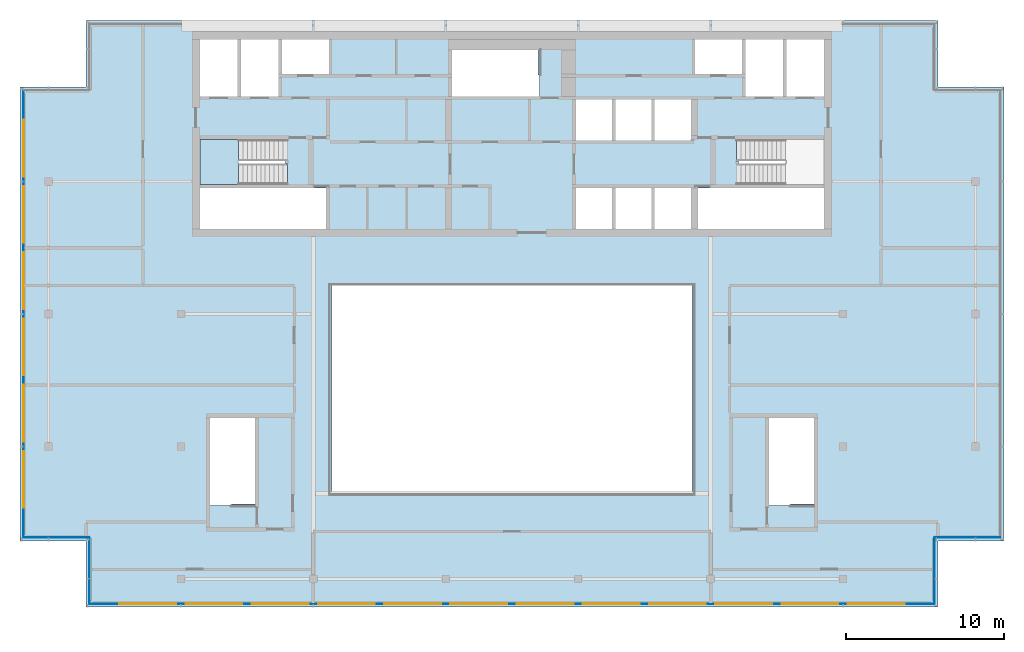
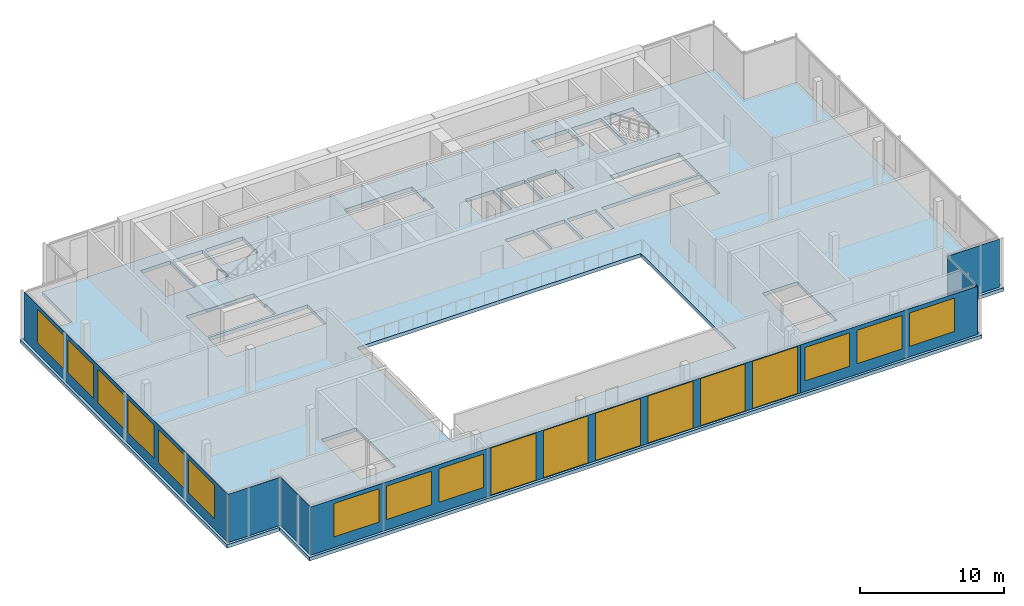
# One storey, part 9 of 14: 18 windows, 8 plates, 2 slabs, 18 openings, 7 elements without a shape of their own.
"""IFC4 building model written with IfcOpenShell, lengths in metres."""

from ifc_helpers import new_model, si_unit, direction, frame, frame_2d, origin, place, context, subcontext, project, spatial, polyline, rectangle, outline, extrude, material, layer, layer_set, type_object, element, fill, aggregate, save


model = new_model("IFC4")

# Units and contexts
model_context = context("Model", 3, precision=1e-05, world=origin(), true_north=direction((0.0, 1.0)))
body_context = subcontext(model_context, "Body", "Model", "MODEL_VIEW")
ifc_project = project(units=[si_unit("LENGTHUNIT", "METRE"), si_unit("AREAUNIT", "SQUARE_METRE"), si_unit("VOLUMEUNIT", "CUBIC_METRE"), si_unit("PLANEANGLEUNIT", "RADIAN"), si_unit("MASSUNIT", "GRAM", prefix="KILO")], contexts=[model_context])

# Site, building, storey
site_placement = place(None, origin())
site = spatial("IfcSite", under=ifc_project, at=site_placement, CompositionType="ELEMENT")
building_placement = place(site_placement, origin())
building = spatial("IfcBuilding", under=site, at=building_placement, Name="Saffron Gate Tower", CompositionType="ELEMENT")
storey_placement = place(building_placement, frame((0.0, 0.0, 310.35009765625)))
storey = spatial("IfcBuildingStorey", under=building, at=storey_placement, Name="L76", CompositionType="ELEMENT", Elevation=310.35009765625)

# Curtain wall, plates, openings, windows
ifc_material_1 = material(Name="Aluminium, bronze anodised", Category="aluminium")
curtain_wall_type = type_object("IfcCurtainWallType", Name="CWS6 curtain wall tall storeys", PredefinedType="NOTDEFINED", material=ifc_material_1)
curtain_wall_1_placement = place(storey_placement, origin())
curtain_wall_1 = element("IfcCurtainWall", 1, at=curtain_wall_1_placement, inside=storey, type_object=curtain_wall_type, Name="CWS6 run 1", PredefinedType="NOTDEFINED")
ifc_material_2 = material(Name="Clear low-iron laminated glass", Category="glass")
ifc_layer_1 = layer(ifc_material_2, 0.028076171875)
ifc_layer_set_1 = layer_set([ifc_layer_1], Name="CWS6 clear glass")
plate_type_1 = type_object("IfcPlateType", Name="CWS6 clear glass", PredefinedType="CURTAIN_PANEL", material=ifc_layer_set_1)
plate_1_placement = place(storey_placement, frame((75.0400390625, 38.614013671875, 0.0), z_axis=(0.0, 0.0, 1.0), x_axis=(1.0, 0.0, 0.0)))
plate_1 = element("IfcPlate", 2, at=plate_1_placement, type_object=plate_type_1, Name="CWS6 clear glass panel", PredefinedType="CURTAIN_PANEL", context=body_context, shape_type="SweptSolid", body=[
    extrude(rectangle(XDim=25.119873046875, YDim=0.028076171875, at=frame_2d((12.56005859375, 0.0))), origin(), (0.0, 0.0, 1.0), 4.079833984375),
])
opening_1_placement = place(plate_1_placement, frame((0.260009765625, 0.0, 0.050048828125)))
opening_1 = element("IfcOpeningElement", 3, at=opening_1_placement, cuts=plate_1, Name="Opening WA", PredefinedType="OPENING", context=body_context, shape_type="SweptSolid", body=[
    extrude(rectangle(XDim=3.60009765625, YDim=3.97998046875, at=frame_2d((1.800048828125, 1.989990234375))), frame((0.0, 0.02392578125, 0.0), z_axis=(0.0, -1.0, 0.0), x_axis=(1.0, 0.0, 0.0)), (0.0, 0.0, 1.0), 0.048095703125),
])
opening_2_placement = place(plate_1_placement, frame((4.4599609375, 0.0, 0.050048828125)))
opening_2 = element("IfcOpeningElement", 4, at=opening_2_placement, cuts=plate_1, Name="Opening WA", PredefinedType="OPENING", context=body_context, shape_type="SweptSolid", body=[
    extrude(rectangle(XDim=3.60009765625, YDim=3.97998046875, at=frame_2d((1.800048828125, 1.989990234375))), frame((0.0, 0.02392578125, 0.0), z_axis=(0.0, -1.0, 0.0), x_axis=(1.0, 0.0, 0.0)), (0.0, 0.0, 1.0), 0.048095703125),
])
opening_3_placement = place(plate_1_placement, frame((8.659912109375, 0.0, 0.050048828125)))
opening_3 = element("IfcOpeningElement", 5, at=opening_3_placement, cuts=plate_1, Name="Opening WA", PredefinedType="OPENING", context=body_context, shape_type="SweptSolid", body=[
    extrude(rectangle(XDim=3.60009765625, YDim=3.97998046875, at=frame_2d((1.800048828125, 1.989990234375))), frame((0.0, 0.02392578125, 0.0), z_axis=(0.0, -1.0, 0.0), x_axis=(1.0, 0.0, 0.0)), (0.0, 0.0, 1.0), 0.048095703125),
])
opening_4_placement = place(plate_1_placement, frame((12.860107421875, 0.0, 0.050048828125)))
opening_4 = element("IfcOpeningElement", 6, at=opening_4_placement, cuts=plate_1, Name="Opening WA", PredefinedType="OPENING", context=body_context, shape_type="SweptSolid", body=[
    extrude(rectangle(XDim=3.60009765625, YDim=3.97998046875, at=frame_2d((1.800048828125, 1.989990234375))), frame((0.0, 0.02392578125, 0.0), z_axis=(0.0, -1.0, 0.0), x_axis=(1.0, 0.0, 0.0)), (0.0, 0.0, 1.0), 0.048095703125),
])
opening_5_placement = place(plate_1_placement, frame((17.06005859375, 0.0, 0.050048828125)))
opening_5 = element("IfcOpeningElement", 7, at=opening_5_placement, cuts=plate_1, Name="Opening WA", PredefinedType="OPENING", context=body_context, shape_type="SweptSolid", body=[
    extrude(rectangle(XDim=3.60009765625, YDim=3.97998046875, at=frame_2d((1.800048828125, 1.989990234375))), frame((0.0, 0.02392578125, 0.0), z_axis=(0.0, -1.0, 0.0), x_axis=(1.0, 0.0, 0.0)), (0.0, 0.0, 1.0), 0.048095703125),
])
opening_6_placement = place(plate_1_placement, frame((21.260009765625, 0.0, 0.050048828125)))
opening_6 = element("IfcOpeningElement", 8, at=opening_6_placement, cuts=plate_1, Name="Opening WA", PredefinedType="OPENING", context=body_context, shape_type="SweptSolid", body=[
    extrude(rectangle(XDim=3.60009765625, YDim=3.97998046875, at=frame_2d((1.800048828125, 1.989990234375))), frame((0.0, 0.02392578125, 0.0), z_axis=(0.0, -1.0, 0.0), x_axis=(1.0, 0.0, 0.0)), (0.0, 0.0, 1.0), 0.048095703125),
])
ifc_material_3 = material(Name="Clear low-iron laminated glass in bronze frame", Category="glass")
ifc_layer_2 = layer(ifc_material_3, 0.06005859375)
ifc_layer_set_2 = layer_set([ifc_layer_2], Name="WA operable atrium unit 3600x3980")
window_type_1 = type_object("IfcWindowType", Name="WA operable atrium unit 3600x3980", PartitioningType="DOUBLE_PANEL_HORIZONTAL", PredefinedType="WINDOW", material=ifc_layer_set_2)
window_1_placement = place(opening_1_placement, origin())
window_1 = element("IfcWindow", 9, at=window_1_placement, type_object=window_type_1, Name="WA operable atrium unit", OverallHeight=3.97998046875, OverallWidth=3.60009765625, PartitioningType="SINGLE_PANEL", PredefinedType="WINDOW", context=body_context, shape_type="SweptSolid", body=[
    extrude(rectangle(XDim=3.60009765625, YDim=3.97998046875, at=frame_2d((1.800048828125, 1.989990234375))), frame((0.0, 0.013671875, 0.0), z_axis=(0.0, -1.0, 0.0), x_axis=(1.0, 0.0, 0.0)), (0.0, 0.0, 1.0), 0.027587890625),
])
fill(opening_1, window_1)
window_2_placement = place(opening_2_placement, origin())
window_2 = element("IfcWindow", 10, at=window_2_placement, type_object=window_type_1, Name="WA operable atrium unit", OverallHeight=3.97998046875, OverallWidth=3.60009765625, PartitioningType="SINGLE_PANEL", PredefinedType="WINDOW", context=body_context, shape_type="SweptSolid", body=[
    extrude(rectangle(XDim=3.60009765625, YDim=3.97998046875, at=frame_2d((1.800048828125, 1.989990234375))), frame((0.0, 0.013671875, 0.0), z_axis=(0.0, -1.0, 0.0), x_axis=(1.0, 0.0, 0.0)), (0.0, 0.0, 1.0), 0.027587890625),
])
fill(opening_2, window_2)
window_3_placement = place(opening_3_placement, origin())
window_3 = element("IfcWindow", 11, at=window_3_placement, type_object=window_type_1, Name="WA operable atrium unit", OverallHeight=3.97998046875, OverallWidth=3.60009765625, PartitioningType="SINGLE_PANEL", PredefinedType="WINDOW", context=body_context, shape_type="SweptSolid", body=[
    extrude(rectangle(XDim=3.60009765625, YDim=3.97998046875, at=frame_2d((1.800048828125, 1.989990234375))), frame((0.0, 0.013671875, 0.0), z_axis=(0.0, -1.0, 0.0), x_axis=(1.0, 0.0, 0.0)), (0.0, 0.0, 1.0), 0.027587890625),
])
fill(opening_3, window_3)
window_4_placement = place(opening_4_placement, origin())
window_4 = element("IfcWindow", 12, at=window_4_placement, type_object=window_type_1, Name="WA operable atrium unit", OverallHeight=3.97998046875, OverallWidth=3.60009765625, PartitioningType="SINGLE_PANEL", PredefinedType="WINDOW", context=body_context, shape_type="SweptSolid", body=[
    extrude(rectangle(XDim=3.60009765625, YDim=3.97998046875, at=frame_2d((1.800048828125, 1.989990234375))), frame((0.0, 0.013671875, 0.0), z_axis=(0.0, -1.0, 0.0), x_axis=(1.0, 0.0, 0.0)), (0.0, 0.0, 1.0), 0.027587890625),
])
fill(opening_4, window_4)
window_5_placement = place(opening_5_placement, origin())
window_5 = element("IfcWindow", 13, at=window_5_placement, type_object=window_type_1, Name="WA operable atrium unit", OverallHeight=3.97998046875, OverallWidth=3.60009765625, PartitioningType="SINGLE_PANEL", PredefinedType="WINDOW", context=body_context, shape_type="SweptSolid", body=[
    extrude(rectangle(XDim=3.60009765625, YDim=3.97998046875, at=frame_2d((1.800048828125, 1.989990234375))), frame((0.0, 0.013671875, 0.0), z_axis=(0.0, -1.0, 0.0), x_axis=(1.0, 0.0, 0.0)), (0.0, 0.0, 1.0), 0.027587890625),
])
fill(opening_5, window_5)
window_6_placement = place(opening_6_placement, origin())
window_6 = element("IfcWindow", 14, at=window_6_placement, type_object=window_type_1, Name="WA operable atrium unit", OverallHeight=3.97998046875, OverallWidth=3.60009765625, PartitioningType="SINGLE_PANEL", PredefinedType="WINDOW", context=body_context, shape_type="SweptSolid", body=[
    extrude(rectangle(XDim=3.60009765625, YDim=3.97998046875, at=frame_2d((1.800048828125, 1.989990234375))), frame((0.0, 0.013671875, 0.0), z_axis=(0.0, -1.0, 0.0), x_axis=(1.0, 0.0, 0.0)), (0.0, 0.0, 1.0), 0.027587890625),
])
fill(opening_6, window_6)
ifc_material_4 = material(Name="Fritted bronze-tinted laminated glass", Category="glass")
ifc_layer_3 = layer(ifc_material_4, 0.028076171875)
ifc_layer_set_3 = layer_set([ifc_layer_3], Name="CWS6 fixed glass")
plate_type_2 = type_object("IfcPlateType", Name="CWS6 fixed glass", PredefinedType="CURTAIN_PANEL", material=ifc_layer_set_3)
plate_2_placement = place(storey_placement, frame((60.827880859375, 38.614013671875, 0.0), z_axis=(0.0, 0.0, 1.0), x_axis=(1.0, 0.0, 0.0)))
plate_2 = element("IfcPlate", 15, at=plate_2_placement, type_object=plate_type_2, Name="CWS6 glass panel", PredefinedType="CURTAIN_PANEL", context=body_context, shape_type="SweptSolid", body=[
    extrude(rectangle(XDim=14.212158203125, YDim=0.028076171875, at=frame_2d((7.10595703125, 0.0))), origin(), (0.0, 0.0, 1.0), 4.079833984375),
])
opening_7_placement = place(plate_2_placement, frame((1.8720703125, 0.0, 0.89990234375)))
opening_7 = element("IfcOpeningElement", 16, at=opening_7_placement, cuts=plate_2, Name="Opening W3", PredefinedType="OPENING", context=body_context, shape_type="SweptSolid", body=[
    extrude(rectangle(XDim=3.60009765625, YDim=2.830078125, at=frame_2d((1.800048828125, 1.4150390625))), frame((0.0, 0.02392578125, 0.0), z_axis=(0.0, -1.0, 0.0), x_axis=(1.0, 0.0, 0.0)), (0.0, 0.0, 1.0), 0.048095703125),
])
opening_8_placement = place(plate_2_placement, frame((6.072021484375, 0.0, 0.89990234375)))
opening_8 = element("IfcOpeningElement", 17, at=opening_8_placement, cuts=plate_2, Name="Opening W3", PredefinedType="OPENING", context=body_context, shape_type="SweptSolid", body=[
    extrude(rectangle(XDim=3.60009765625, YDim=2.830078125, at=frame_2d((1.800048828125, 1.4150390625))), frame((0.0, 0.02392578125, 0.0), z_axis=(0.0, -1.0, 0.0), x_axis=(1.0, 0.0, 0.0)), (0.0, 0.0, 1.0), 0.048095703125),
])
opening_9_placement = place(plate_2_placement, frame((10.27197265625, 0.0, 0.89990234375)))
opening_9 = element("IfcOpeningElement", 18, at=opening_9_placement, cuts=plate_2, Name="Opening W3", PredefinedType="OPENING", context=body_context, shape_type="SweptSolid", body=[
    extrude(rectangle(XDim=3.60009765625, YDim=2.830078125, at=frame_2d((1.800048828125, 1.4150390625))), frame((0.0, 0.02392578125, 0.0), z_axis=(0.0, -1.0, 0.0), x_axis=(1.0, 0.0, 0.0)), (0.0, 0.0, 1.0), 0.048095703125),
])
ifc_material_5 = material(Name="Fritted bronze-tinted laminated glass in bronze frame", Category="glass")
ifc_layer_4 = layer(ifc_material_5, 0.06005859375)
ifc_layer_set_4 = layer_set([ifc_layer_4], Name="W3 operable panel 3600x2830")
window_type_2 = type_object("IfcWindowType", Name="W3 operable panel 3600x2830", PartitioningType="DOUBLE_PANEL_HORIZONTAL", PredefinedType="WINDOW", material=ifc_layer_set_4)
window_7_placement = place(opening_7_placement, origin())
window_7 = element("IfcWindow", 19, at=window_7_placement, type_object=window_type_2, Name="W3 operable panel", OverallHeight=2.830078125, OverallWidth=3.60009765625, PartitioningType="SINGLE_PANEL", PredefinedType="WINDOW", context=body_context, shape_type="SweptSolid", body=[
    extrude(rectangle(XDim=3.60009765625, YDim=2.830078125, at=frame_2d((1.800048828125, 1.4150390625))), frame((0.0, 0.013671875, 0.0), z_axis=(0.0, -1.0, 0.0), x_axis=(1.0, 0.0, 0.0)), (0.0, 0.0, 1.0), 0.027587890625),
])
fill(opening_7, window_7)
window_8_placement = place(opening_8_placement, origin())
window_8 = element("IfcWindow", 20, at=window_8_placement, type_object=window_type_2, Name="W3 operable panel", OverallHeight=2.830078125, OverallWidth=3.60009765625, PartitioningType="SINGLE_PANEL", PredefinedType="WINDOW", context=body_context, shape_type="SweptSolid", body=[
    extrude(rectangle(XDim=3.60009765625, YDim=2.830078125, at=frame_2d((1.800048828125, 1.4150390625))), frame((0.0, 0.013671875, 0.0), z_axis=(0.0, -1.0, 0.0), x_axis=(1.0, 0.0, 0.0)), (0.0, 0.0, 1.0), 0.027587890625),
])
fill(opening_8, window_8)
window_9_placement = place(opening_9_placement, origin())
window_9 = element("IfcWindow", 21, at=window_9_placement, type_object=window_type_2, Name="W3 operable panel", OverallHeight=2.830078125, OverallWidth=3.60009765625, PartitioningType="SINGLE_PANEL", PredefinedType="WINDOW", context=body_context, shape_type="SweptSolid", body=[
    extrude(rectangle(XDim=3.60009765625, YDim=2.830078125, at=frame_2d((1.800048828125, 1.4150390625))), frame((0.0, 0.013671875, 0.0), z_axis=(0.0, -1.0, 0.0), x_axis=(1.0, 0.0, 0.0)), (0.0, 0.0, 1.0), 0.027587890625),
])
fill(opening_9, window_9)
plate_3_placement = place(storey_placement, frame((100.159912109375, 38.614013671875, 0.0), z_axis=(0.0, 0.0, 1.0), x_axis=(1.0, 0.0, 0.0)))
plate_3 = element("IfcPlate", 22, at=plate_3_placement, type_object=plate_type_2, Name="CWS6 glass panel", PredefinedType="CURTAIN_PANEL", context=body_context, shape_type="SweptSolid", body=[
    extrude(rectangle(XDim=14.212158203125, YDim=0.028076171875, at=frame_2d((7.10595703125, 0.0))), origin(), (0.0, 0.0, 1.0), 4.079833984375),
])
opening_10_placement = place(plate_3_placement, frame((0.340087890625, 0.0, 0.89990234375)))
opening_10 = element("IfcOpeningElement", 23, at=opening_10_placement, cuts=plate_3, Name="Opening W3", PredefinedType="OPENING", context=body_context, shape_type="SweptSolid", body=[
    extrude(rectangle(XDim=3.60009765625, YDim=2.830078125, at=frame_2d((1.800048828125, 1.4150390625))), frame((0.0, 0.02392578125, 0.0), z_axis=(0.0, -1.0, 0.0), x_axis=(1.0, 0.0, 0.0)), (0.0, 0.0, 1.0), 0.048095703125),
])
opening_11_placement = place(plate_3_placement, frame((4.5400390625, 0.0, 0.89990234375)))
opening_11 = element("IfcOpeningElement", 24, at=opening_11_placement, cuts=plate_3, Name="Opening W3", PredefinedType="OPENING", context=body_context, shape_type="SweptSolid", body=[
    extrude(rectangle(XDim=3.60009765625, YDim=2.830078125, at=frame_2d((1.800048828125, 1.4150390625))), frame((0.0, 0.02392578125, 0.0), z_axis=(0.0, -1.0, 0.0), x_axis=(1.0, 0.0, 0.0)), (0.0, 0.0, 1.0), 0.048095703125),
])
opening_12_placement = place(plate_3_placement, frame((8.739990234375, 0.0, 0.89990234375)))
opening_12 = element("IfcOpeningElement", 25, at=opening_12_placement, cuts=plate_3, Name="Opening W3", PredefinedType="OPENING", context=body_context, shape_type="SweptSolid", body=[
    extrude(rectangle(XDim=3.60009765625, YDim=2.830078125, at=frame_2d((1.800048828125, 1.4150390625))), frame((0.0, 0.02392578125, 0.0), z_axis=(0.0, -1.0, 0.0), x_axis=(1.0, 0.0, 0.0)), (0.0, 0.0, 1.0), 0.048095703125),
])
window_10_placement = place(opening_10_placement, origin())
window_10 = element("IfcWindow", 26, at=window_10_placement, type_object=window_type_2, Name="W3 operable panel", OverallHeight=2.830078125, OverallWidth=3.60009765625, PartitioningType="SINGLE_PANEL", PredefinedType="WINDOW", context=body_context, shape_type="SweptSolid", body=[
    extrude(rectangle(XDim=3.60009765625, YDim=2.830078125, at=frame_2d((1.800048828125, 1.4150390625))), frame((0.0, 0.013671875, 0.0), z_axis=(0.0, -1.0, 0.0), x_axis=(1.0, 0.0, 0.0)), (0.0, 0.0, 1.0), 0.027587890625),
])
fill(opening_10, window_10)
window_11_placement = place(opening_11_placement, origin())
window_11 = element("IfcWindow", 27, at=window_11_placement, type_object=window_type_2, Name="W3 operable panel", OverallHeight=2.830078125, OverallWidth=3.60009765625, PartitioningType="SINGLE_PANEL", PredefinedType="WINDOW", context=body_context, shape_type="SweptSolid", body=[
    extrude(rectangle(XDim=3.60009765625, YDim=2.830078125, at=frame_2d((1.800048828125, 1.4150390625))), frame((0.0, 0.013671875, 0.0), z_axis=(0.0, -1.0, 0.0), x_axis=(1.0, 0.0, 0.0)), (0.0, 0.0, 1.0), 0.027587890625),
])
fill(opening_11, window_11)
window_12_placement = place(opening_12_placement, origin())
window_12 = element("IfcWindow", 28, at=window_12_placement, type_object=window_type_2, Name="W3 operable panel", OverallHeight=2.830078125, OverallWidth=3.60009765625, PartitioningType="SINGLE_PANEL", PredefinedType="WINDOW", context=body_context, shape_type="SweptSolid", body=[
    extrude(rectangle(XDim=3.60009765625, YDim=2.830078125, at=frame_2d((1.800048828125, 1.4150390625))), frame((0.0, 0.013671875, 0.0), z_axis=(0.0, -1.0, 0.0), x_axis=(1.0, 0.0, 0.0)), (0.0, 0.0, 1.0), 0.027587890625),
])
fill(opening_12, window_12)
aggregate(curtain_wall_1, [plate_2, plate_3, plate_1, window_7, window_8, window_9, window_10, window_11, window_12, window_1, window_2, window_3, window_4, window_5, window_6])

# Curtain wall, plate
curtain_wall_2_placement = place(storey_placement, origin())
curtain_wall_2 = element("IfcCurtainWall", 29, at=curtain_wall_2_placement, inside=storey, type_object=curtain_wall_type, Name="CWS6 run 2", PredefinedType="NOTDEFINED")
plate_4_placement = place(storey_placement, frame((114.385986328125, 38.6279296875, 0.0), z_axis=(0.0, 0.0, 1.0), x_axis=(0.0, 1.0, 0.0)))
plate_4 = element("IfcPlate", 30, at=plate_4_placement, type_object=plate_type_2, Name="CWS6 glass panel", PredefinedType="CURTAIN_PANEL", context=body_context, shape_type="SweptSolid", body=[
    extrude(rectangle(XDim=4.172119140625, YDim=0.028076171875, at=frame_2d((2.0859375, 0.0))), origin(), (0.0, 0.0, 1.0), 4.079833984375),
])
aggregate(curtain_wall_2, [plate_4])

curtain_wall_3_placement = place(storey_placement, origin())
curtain_wall_3 = element("IfcCurtainWall", 31, at=curtain_wall_3_placement, inside=storey, type_object=curtain_wall_type, Name="CWS6 run 3", PredefinedType="NOTDEFINED")
plate_5_placement = place(storey_placement, frame((114.39990234375, 42.81396484375, 0.0), z_axis=(0.0, 0.0, 1.0), x_axis=(1.0, 0.0, 0.0)))
plate_5 = element("IfcPlate", 32, at=plate_5_placement, type_object=plate_type_2, Name="CWS6 glass panel", PredefinedType="CURTAIN_PANEL", context=body_context, shape_type="SweptSolid", body=[
    extrude(rectangle(XDim=4.172119140625, YDim=0.028076171875, at=frame_2d((2.0859375, 0.0))), origin(), (0.0, 0.0, 1.0), 4.079833984375),
])
aggregate(curtain_wall_3, [plate_5])

# Curtain wall, plate, openings, windows
curtain_wall_4_placement = place(storey_placement, origin())
curtain_wall_4 = element("IfcCurtainWall", 33, at=curtain_wall_4_placement, inside=storey, type_object=curtain_wall_type, Name="CWS6 run 10", PredefinedType="NOTDEFINED")
plate_6_placement = place(storey_placement, frame((56.614013671875, 71.172119140625, 0.0), z_axis=(0.0, 0.0, 1.0), x_axis=(0.0, -1.0, 0.0)))
plate_6 = element("IfcPlate", 34, at=plate_6_placement, type_object=plate_type_2, Name="CWS6 glass panel", PredefinedType="CURTAIN_PANEL", context=body_context, shape_type="SweptSolid", body=[
    extrude(rectangle(XDim=28.34423828125, YDim=0.028076171875, at=frame_2d((14.172119140625, 0.0))), origin(), (0.0, 0.0, 1.0), 4.079833984375),
])
opening_13_placement = place(plate_6_placement, frame((1.8720703125, 0.0, 0.89990234375)))
opening_13 = element("IfcOpeningElement", 35, at=opening_13_placement, cuts=plate_6, Name="Opening W3", PredefinedType="OPENING", context=body_context, shape_type="SweptSolid", body=[
    extrude(rectangle(XDim=3.60009765625, YDim=2.830078125, at=frame_2d((1.800048828125, 1.4150390625))), frame((0.0, 0.02392578125, 0.0), z_axis=(0.0, -1.0, 0.0), x_axis=(1.0, 0.0, 0.0)), (0.0, 0.0, 1.0), 0.048095703125),
])
opening_14_placement = place(plate_6_placement, frame((6.072021484375, 0.0, 0.89990234375)))
opening_14 = element("IfcOpeningElement", 36, at=opening_14_placement, cuts=plate_6, Name="Opening W3", PredefinedType="OPENING", context=body_context, shape_type="SweptSolid", body=[
    extrude(rectangle(XDim=3.60009765625, YDim=2.830078125, at=frame_2d((1.800048828125, 1.4150390625))), frame((0.0, 0.02392578125, 0.0), z_axis=(0.0, -1.0, 0.0), x_axis=(1.0, 0.0, 0.0)), (0.0, 0.0, 1.0), 0.048095703125),
])
opening_15_placement = place(plate_6_placement, frame((10.27197265625, 0.0, 0.89990234375)))
opening_15 = element("IfcOpeningElement", 37, at=opening_15_placement, cuts=plate_6, Name="Opening W3", PredefinedType="OPENING", context=body_context, shape_type="SweptSolid", body=[
    extrude(rectangle(XDim=3.60009765625, YDim=2.830078125, at=frame_2d((1.800048828125, 1.4150390625))), frame((0.0, 0.02392578125, 0.0), z_axis=(0.0, -1.0, 0.0), x_axis=(1.0, 0.0, 0.0)), (0.0, 0.0, 1.0), 0.048095703125),
])
opening_16_placement = place(plate_6_placement, frame((14.471923828125, 0.0, 0.89990234375)))
opening_16 = element("IfcOpeningElement", 38, at=opening_16_placement, cuts=plate_6, Name="Opening W3", PredefinedType="OPENING", context=body_context, shape_type="SweptSolid", body=[
    extrude(rectangle(XDim=3.60009765625, YDim=2.830078125, at=frame_2d((1.800048828125, 1.4150390625))), frame((0.0, 0.02392578125, 0.0), z_axis=(0.0, -1.0, 0.0), x_axis=(1.0, 0.0, 0.0)), (0.0, 0.0, 1.0), 0.048095703125),
])
opening_17_placement = place(plate_6_placement, frame((18.672119140625, 0.0, 0.89990234375)))
opening_17 = element("IfcOpeningElement", 39, at=opening_17_placement, cuts=plate_6, Name="Opening W3", PredefinedType="OPENING", context=body_context, shape_type="SweptSolid", body=[
    extrude(rectangle(XDim=3.60009765625, YDim=2.830078125, at=frame_2d((1.800048828125, 1.4150390625))), frame((0.0, 0.02392578125, 0.0), z_axis=(0.0, -1.0, 0.0), x_axis=(1.0, 0.0, 0.0)), (0.0, 0.0, 1.0), 0.048095703125),
])
opening_18_placement = place(plate_6_placement, frame((22.8720703125, 0.0, 0.89990234375)))
opening_18 = element("IfcOpeningElement", 40, at=opening_18_placement, cuts=plate_6, Name="Opening W3", PredefinedType="OPENING", context=body_context, shape_type="SweptSolid", body=[
    extrude(rectangle(XDim=3.60009765625, YDim=2.830078125, at=frame_2d((1.800048828125, 1.4150390625))), frame((0.0, 0.02392578125, 0.0), z_axis=(0.0, -1.0, 0.0), x_axis=(1.0, 0.0, 0.0)), (0.0, 0.0, 1.0), 0.048095703125),
])
window_13_placement = place(opening_13_placement, origin())
window_13 = element("IfcWindow", 41, at=window_13_placement, type_object=window_type_2, Name="W3 operable panel", OverallHeight=2.830078125, OverallWidth=3.60009765625, PartitioningType="SINGLE_PANEL", PredefinedType="WINDOW", context=body_context, shape_type="SweptSolid", body=[
    extrude(rectangle(XDim=3.60009765625, YDim=2.830078125, at=frame_2d((1.800048828125, 1.4150390625))), frame((0.0, 0.013671875, 0.0), z_axis=(0.0, -1.0, 0.0), x_axis=(1.0, 0.0, 0.0)), (0.0, 0.0, 1.0), 0.027587890625),
])
fill(opening_13, window_13)
window_14_placement = place(opening_14_placement, origin())
window_14 = element("IfcWindow", 42, at=window_14_placement, type_object=window_type_2, Name="W3 operable panel", OverallHeight=2.830078125, OverallWidth=3.60009765625, PartitioningType="SINGLE_PANEL", PredefinedType="WINDOW", context=body_context, shape_type="SweptSolid", body=[
    extrude(rectangle(XDim=3.60009765625, YDim=2.830078125, at=frame_2d((1.800048828125, 1.4150390625))), frame((0.0, 0.013671875, 0.0), z_axis=(0.0, -1.0, 0.0), x_axis=(1.0, 0.0, 0.0)), (0.0, 0.0, 1.0), 0.027587890625),
])
fill(opening_14, window_14)
window_15_placement = place(opening_15_placement, origin())
window_15 = element("IfcWindow", 43, at=window_15_placement, type_object=window_type_2, Name="W3 operable panel", OverallHeight=2.830078125, OverallWidth=3.60009765625, PartitioningType="SINGLE_PANEL", PredefinedType="WINDOW", context=body_context, shape_type="SweptSolid", body=[
    extrude(rectangle(XDim=3.60009765625, YDim=2.830078125, at=frame_2d((1.800048828125, 1.4150390625))), frame((0.0, 0.013671875, 0.0), z_axis=(0.0, -1.0, 0.0), x_axis=(1.0, 0.0, 0.0)), (0.0, 0.0, 1.0), 0.027587890625),
])
fill(opening_15, window_15)
window_16_placement = place(opening_16_placement, origin())
window_16 = element("IfcWindow", 44, at=window_16_placement, type_object=window_type_2, Name="W3 operable panel", OverallHeight=2.830078125, OverallWidth=3.60009765625, PartitioningType="SINGLE_PANEL", PredefinedType="WINDOW", context=body_context, shape_type="SweptSolid", body=[
    extrude(rectangle(XDim=3.60009765625, YDim=2.830078125, at=frame_2d((1.800048828125, 1.4150390625))), frame((0.0, 0.013671875, 0.0), z_axis=(0.0, -1.0, 0.0), x_axis=(1.0, 0.0, 0.0)), (0.0, 0.0, 1.0), 0.027587890625),
])
fill(opening_16, window_16)
window_17_placement = place(opening_17_placement, origin())
window_17 = element("IfcWindow", 45, at=window_17_placement, type_object=window_type_2, Name="W3 operable panel", OverallHeight=2.830078125, OverallWidth=3.60009765625, PartitioningType="SINGLE_PANEL", PredefinedType="WINDOW", context=body_context, shape_type="SweptSolid", body=[
    extrude(rectangle(XDim=3.60009765625, YDim=2.830078125, at=frame_2d((1.800048828125, 1.4150390625))), frame((0.0, 0.013671875, 0.0), z_axis=(0.0, -1.0, 0.0), x_axis=(1.0, 0.0, 0.0)), (0.0, 0.0, 1.0), 0.027587890625),
])
fill(opening_17, window_17)
window_18_placement = place(opening_18_placement, origin())
window_18 = element("IfcWindow", 46, at=window_18_placement, type_object=window_type_2, Name="W3 operable panel", OverallHeight=2.830078125, OverallWidth=3.60009765625, PartitioningType="SINGLE_PANEL", PredefinedType="WINDOW", context=body_context, shape_type="SweptSolid", body=[
    extrude(rectangle(XDim=3.60009765625, YDim=2.830078125, at=frame_2d((1.800048828125, 1.4150390625))), frame((0.0, 0.013671875, 0.0), z_axis=(0.0, -1.0, 0.0), x_axis=(1.0, 0.0, 0.0)), (0.0, 0.0, 1.0), 0.027587890625),
])
fill(opening_18, window_18)
aggregate(curtain_wall_4, [plate_6, window_13, window_14, window_15, window_16, window_17, window_18])

# Curtain wall, plate
curtain_wall_5_placement = place(storey_placement, origin())
curtain_wall_5 = element("IfcCurtainWall", 47, at=curtain_wall_5_placement, inside=storey, type_object=curtain_wall_type, Name="CWS6 run 11", PredefinedType="NOTDEFINED")
plate_7_placement = place(storey_placement, frame((56.6279296875, 42.81396484375, 0.0), z_axis=(0.0, 0.0, 1.0), x_axis=(1.0, 0.0, 0.0)))
plate_7 = element("IfcPlate", 48, at=plate_7_placement, type_object=plate_type_2, Name="CWS6 glass panel", PredefinedType="CURTAIN_PANEL", context=body_context, shape_type="SweptSolid", body=[
    extrude(rectangle(XDim=4.172119140625, YDim=0.028076171875, at=frame_2d((2.0859375, 0.0))), origin(), (0.0, 0.0, 1.0), 4.079833984375),
])
aggregate(curtain_wall_5, [plate_7])

curtain_wall_6_placement = place(storey_placement, origin())
curtain_wall_6 = element("IfcCurtainWall", 49, at=curtain_wall_6_placement, inside=storey, type_object=curtain_wall_type, Name="CWS6 run 12", PredefinedType="NOTDEFINED")
plate_8_placement = place(storey_placement, frame((60.81396484375, 42.800048828125, 0.0), z_axis=(0.0, 0.0, 1.0), x_axis=(0.0, -1.0, 0.0)))
plate_8 = element("IfcPlate", 50, at=plate_8_placement, type_object=plate_type_2, Name="CWS6 glass panel", PredefinedType="CURTAIN_PANEL", context=body_context, shape_type="SweptSolid", body=[
    extrude(rectangle(XDim=4.172119140625, YDim=0.028076171875, at=frame_2d((2.0859375, 0.0))), origin(), (0.0, 0.0, 1.0), 4.079833984375),
])
aggregate(curtain_wall_6, [plate_8])

# Slab
ifc_material_6 = material(Name="Concrete C40", Category="concrete")
ifc_layer_5 = layer(ifc_material_6, 0.300048828125)
ifc_layer_set_5 = layer_set([ifc_layer_5], Name="S3 FLOOR SLAB 300 CONCRETE C40")
slab_type_1 = type_object("IfcSlabType", Name="S3 FLOOR SLAB 300 CONCRETE C40", PredefinedType="FLOOR", material=ifc_layer_set_5)
slab_1_placement = place(storey_placement, frame((0.0, 0.0, -0.300048828125)))
element("IfcSlab", 51, at=slab_1_placement, inside=storey, type_object=slab_type_1, Name="S3 FLOOR SLAB", PredefinedType="FLOOR", context=body_context, shape_type="SweptSolid", body=[
    extrude(outline(polyline([(56.39990234375, 42.60009765625), (60.60009765625, 42.60009765625), (60.60009765625, 38.39990234375), (114.60009765625, 38.39990234375), (114.60009765625, 42.60009765625), (118.800048828125, 42.60009765625), (118.800048828125, 71.39990234375), (114.60009765625, 71.39990234375), (114.60009765625, 75.60009765625), (60.60009765625, 75.60009765625), (60.60009765625, 71.39990234375), (56.39990234375, 71.39990234375), (56.39990234375, 42.60009765625)]), holes=[polyline([(67.800048828125, 62.39990234375), (67.800048828125, 65.0), (75.800048828125, 65.0), (75.800048828125, 62.39990234375), (67.800048828125, 62.39990234375)]), polyline([(67.800048828125, 65.199951171875), (67.800048828125, 68.050048828125), (73.25, 68.050048828125), (73.25, 66.550048828125), (73.34912109375, 66.550048828125), (73.34912109375, 65.199951171875), (67.800048828125, 65.199951171875)]), polyline([(67.800048828125, 70.800048828125), (67.800048828125, 74.39990234375), (70.199951171875, 74.39990234375), (70.199951171875, 70.800048828125), (67.800048828125, 70.800048828125)]), polyline([(68.449951171875, 44.85107421875), (68.449951171875, 50.39990234375), (71.300048828125, 50.39990234375), (71.300048828125, 44.949951171875), (69.800048828125, 44.949951171875), (69.800048828125, 44.85107421875), (68.449951171875, 44.85107421875)]), polyline([(70.39990234375, 70.800048828125), (70.39990234375, 74.39990234375), (72.800048828125, 74.39990234375), (72.800048828125, 70.800048828125), (70.39990234375, 70.800048828125)]), polyline([(73.0, 72.199951171875), (73.0, 74.39990234375), (76.0, 74.39990234375), (76.0, 72.199951171875), (73.0, 72.199951171875)]), polyline([(76.199951171875, 45.60009765625), (76.199951171875, 58.800048828125), (99.0, 58.800048828125), (99.0, 45.60009765625), (76.199951171875, 45.60009765625)]), polyline([(83.800048828125, 70.800048828125), (83.800048828125, 73.75), (89.25, 73.75), (89.25, 72.14990234375), (89.34912109375, 72.14990234375), (89.34912109375, 70.800048828125), (83.800048828125, 70.800048828125)]), polyline([(91.64990234375, 62.39990234375), (91.64990234375, 65.0), (93.949951171875, 65.0), (93.949951171875, 62.39990234375), (91.64990234375, 62.39990234375)]), polyline([(91.64990234375, 68.0), (91.64990234375, 70.60009765625), (93.949951171875, 70.60009765625), (93.949951171875, 68.0), (91.64990234375, 68.0)]), polyline([(94.14990234375, 62.39990234375), (94.14990234375, 65.0), (96.449951171875, 65.0), (96.449951171875, 62.39990234375), (94.14990234375, 62.39990234375)]), polyline([(94.14990234375, 68.0), (94.14990234375, 70.60009765625), (96.449951171875, 70.60009765625), (96.449951171875, 68.0), (94.14990234375, 68.0)]), polyline([(96.64990234375, 62.39990234375), (96.64990234375, 65.0), (98.949951171875, 65.0), (98.949951171875, 62.39990234375), (96.64990234375, 62.39990234375)]), polyline([(96.64990234375, 68.0), (96.64990234375, 70.60009765625), (98.949951171875, 70.60009765625), (98.949951171875, 68.0), (96.64990234375, 68.0)]), polyline([(99.199951171875, 72.199951171875), (99.199951171875, 74.39990234375), (102.199951171875, 74.39990234375), (102.199951171875, 72.199951171875), (99.199951171875, 72.199951171875)]), polyline([(99.39990234375, 62.39990234375), (99.39990234375, 65.0), (107.39990234375, 65.0), (107.39990234375, 62.39990234375), (99.39990234375, 62.39990234375)]), polyline([(101.85107421875, 66.699951171875), (101.85107421875, 68.050048828125), (107.39990234375, 68.050048828125), (107.39990234375, 65.199951171875), (101.949951171875, 65.199951171875), (101.949951171875, 66.699951171875), (101.85107421875, 66.699951171875)]), polyline([(102.39990234375, 70.800048828125), (102.39990234375, 74.39990234375), (104.800048828125, 74.39990234375), (104.800048828125, 70.800048828125), (102.39990234375, 70.800048828125)]), polyline([(103.89990234375, 44.85107421875), (103.89990234375, 50.39990234375), (106.75, 50.39990234375), (106.75, 44.949951171875), (105.25, 44.949951171875), (105.25, 44.85107421875), (103.89990234375, 44.85107421875)]), polyline([(105.0, 70.800048828125), (105.0, 74.39990234375), (107.39990234375, 74.39990234375), (107.39990234375, 70.800048828125), (105.0, 70.800048828125)])]), origin(), (0.0, 0.0, 1.0), 0.300048828125),
])

# Stair, slab
stair_type = type_object("IfcStairType", Name="ST6 Stair 1350 wide, 24 risers of 188", PredefinedType="HALF_TURN_STAIR", material=ifc_material_6)
stair_placement = place(storey_placement, origin())
stair = element("IfcStair", 52, at=stair_placement, inside=storey, type_object=stair_type, Name="L76 Exit stair A", PredefinedType="HALF_TURN_STAIR")
ifc_layer_6 = layer(ifc_material_6, 0.199951171875)
ifc_layer_set_6 = layer_set([ifc_layer_6], Name="SL1 Stair landing 200")
slab_type_2 = type_object("IfcSlabType", Name="SL1 Stair landing 200", PredefinedType="LANDING", material=ifc_layer_set_6)
slab_2_placement = place(storey_placement, frame((0.0, 0.0, 2.0498046875)))
slab_2 = element("IfcSlab", 53, at=slab_2_placement, type_object=slab_type_2, Name="ST-A landing 1", PredefinedType="LANDING", context=body_context, shape_type="SweptSolid", body=[
    extrude(outline(polyline([(70.27001953125, 68.050048828125), (67.800048828125, 68.050048828125), (67.800048828125, 65.199951171875), (70.27001953125, 65.199951171875), (70.27001953125, 68.050048828125)])), origin(), (0.0, 0.0, 1.0), 0.2001953125),
])
aggregate(stair, [slab_2])

save(model, "model.ifc")
